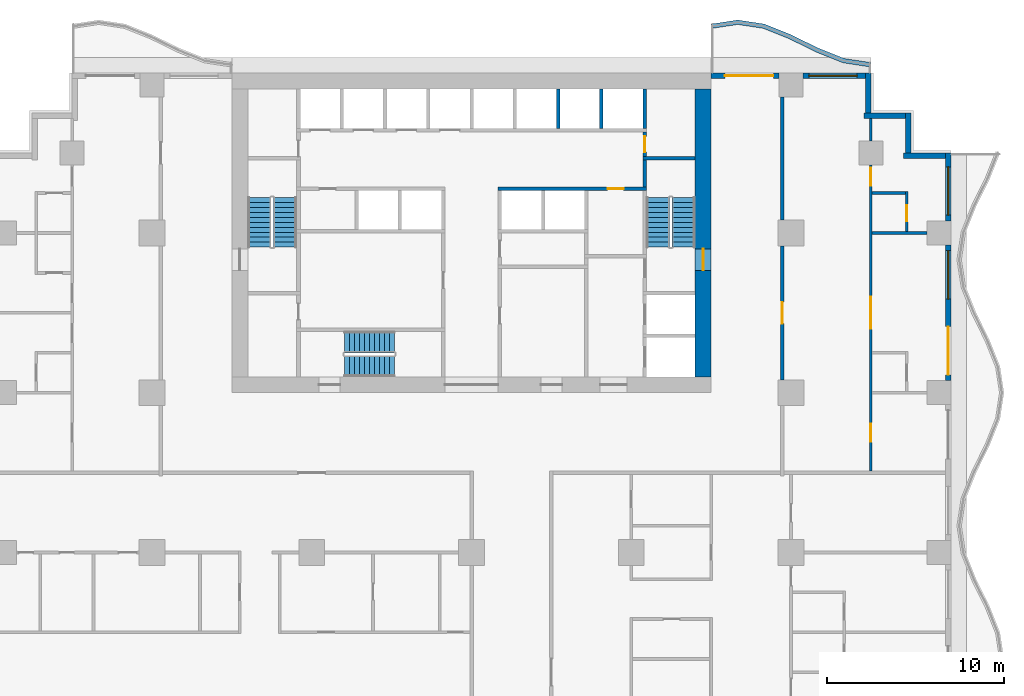
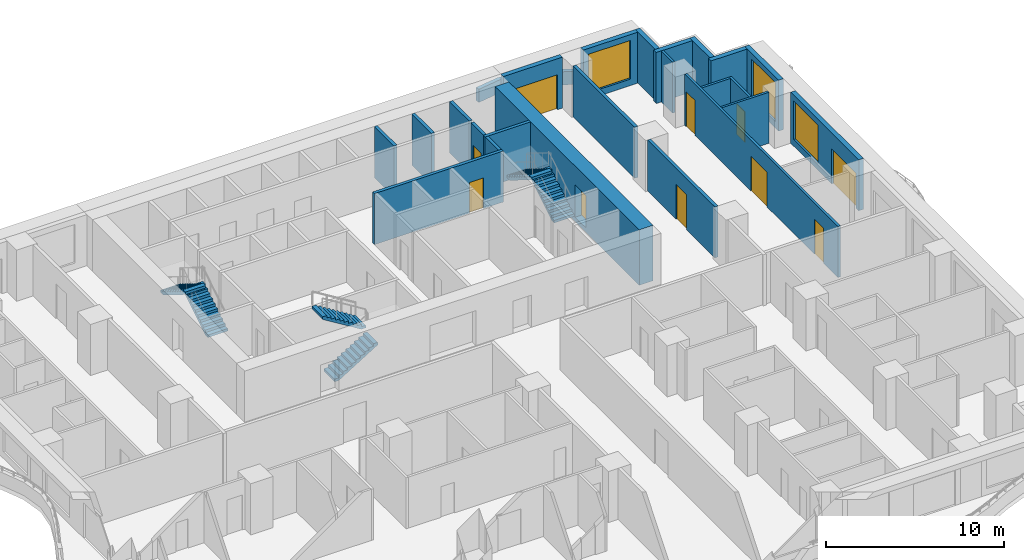
# One storey, part 6 of 13: 24 walls, 10 doors, 6 stair flights, 3 windows, 13 openings, 3 elements without a shape of their own.
"""IFC4 building model written with IfcOpenShell, lengths in metres."""

from ifc_helpers import new_model, si_unit, direction, frame, frame_2d, origin, place, context, subcontext, project, spatial, polyline, rectangle, outline, extrude, material, layer, layer_set, type_object, element, fill, aggregate, save


model = new_model("IFC4")

# Units and contexts
model_context = context("Model", 3, precision=1e-05, world=origin(), true_north=direction((0.0, 1.0)))
body_context = subcontext(model_context, "Body", "Model", "MODEL_VIEW")
ifc_project = project(units=[si_unit("LENGTHUNIT", "METRE"), si_unit("AREAUNIT", "SQUARE_METRE"), si_unit("VOLUMEUNIT", "CUBIC_METRE"), si_unit("PLANEANGLEUNIT", "RADIAN"), si_unit("MASSUNIT", "GRAM", prefix="KILO")], contexts=[model_context])

# Site, building, storey
site_placement = place(None, origin())
site = spatial("IfcSite", under=ifc_project, at=site_placement, CompositionType="ELEMENT")
building_placement = place(site_placement, origin())
building = spatial("IfcBuilding", under=site, at=building_placement, Name="Orbiselva Terraces", CompositionType="ELEMENT")
storey_placement = place(building_placement, frame((0.0, 0.0, 69.4)))
storey = spatial("IfcBuildingStorey", under=building, at=storey_placement, Name="L17", CompositionType="ELEMENT", Elevation=69.4)

# Wall, opening, door
ifc_material_1 = material(Name="Concrete C80/95", Category="concrete")
ifc_layer_1 = layer(ifc_material_1, 0.9)
ifc_layer_set_1 = layer_set([ifc_layer_1], Name="Concrete C80/95")
wall_type_1 = type_object("IfcWallType", Name="CORE WALL 900", PredefinedType="SHEAR", material=ifc_layer_set_1)
wall_1_placement = place(storey_placement, frame((13.05, 5.4, -0.3), z_axis=(0.0, 0.0, 1.0), x_axis=(0.0, 1.0, 0.0)))
wall_1 = element("IfcWall", 1, at=wall_1_placement, inside=storey, type_object=wall_type_1, Name="Core wall L17 east", PredefinedType="SHEAR", context=body_context, shape_type="SweptSolid", body=[
    extrude(rectangle(XDim=16.2, YDim=0.9, at=frame_2d((8.1, 0.0))), origin(), (0.0, 0.0, 1.0), 3.8),
])
opening_1_placement = place(wall_1_placement, frame((6.0, 0.0, 0.3)))
opening_1 = element("IfcOpeningElement", 2, at=opening_1_placement, cuts=wall_1, Name="Opening DS1200", PredefinedType="OPENING", context=body_context, shape_type="SweptSolid", body=[
    extrude(rectangle(XDim=1.2, YDim=2.2, at=frame_2d((0.6, 1.1))), frame((0.0, 0.46, 0.0), z_axis=(0.0, -1.0, 0.0), x_axis=(1.0, 0.0, 0.0)), (0.0, 0.0, 1.0), 0.92),
])
ifc_material_2 = material(Name="Steel fire door", Category="steel")
door_type_1 = type_object("IfcDoorType", Name="STAIR DOOR 1200", OperationType="NOTDEFINED", PredefinedType="DOOR", material=ifc_material_2)
door_1_placement = place(opening_1_placement, frame((1.2, 0.0, 0.0), z_axis=(0.0, 0.0, 1.0), x_axis=(-1.0, 0.0, 0.0)))
door_1 = element("IfcDoor", 3, at=door_1_placement, inside=storey, type_object=door_type_1, Name="L17 EXIT STAIR S2 door", OperationType="SINGLE_SWING_LEFT", OverallHeight=2.2, OverallWidth=1.2, PredefinedType="DOOR", context=body_context, shape_type="SweptSolid", body=[
    extrude(rectangle(XDim=1.2, YDim=2.2, at=frame_2d((0.6, 1.1))), frame((0.0, 0.025, 0.0), z_axis=(0.0, -1.0, 0.0), x_axis=(1.0, 0.0, 0.0)), (0.0, 0.0, 1.0), 0.05),
])
fill(opening_1, door_1)

ifc_material_3 = material(Name="Masonry blockwork", Category="masonry")
ifc_layer_2 = layer(ifc_material_3, 0.2)
ifc_layer_set_2 = layer_set([ifc_layer_2], Name="Masonry blockwork")
wall_type_2 = type_object("IfcWallType", Name="CORE-WALL-PARTITION-200", PredefinedType="PARTITIONING", material=ifc_layer_set_2)
wall_2_placement = place(storey_placement, frame((9.75, 19.2, 0.0), z_axis=(0.0, 0.0, 1.0), x_axis=(0.0, -1.0, 0.0)))
wall_2 = element("IfcWall", 4, at=wall_2_placement, inside=storey, type_object=wall_type_2, Name="L17 core wall 46", PredefinedType="PARTITIONING", context=body_context, shape_type="SweptSolid", body=[
    extrude(rectangle(XDim=1.4, YDim=0.2, at=frame_2d((0.7, 0.0))), origin(), (0.0, 0.0, 1.0), 3.5),
])
opening_2_placement = place(wall_2_placement, frame((0.25, 0.0, 0.0)))
opening_2 = element("IfcOpeningElement", 5, at=opening_2_placement, cuts=wall_2, Name="Opening DR900", PredefinedType="OPENING", context=body_context, shape_type="SweptSolid", body=[
    extrude(rectangle(XDim=0.9, YDim=2.1, at=frame_2d((0.45, 1.05))), frame((0.0, 0.11, 0.0), z_axis=(0.0, -1.0, 0.0), x_axis=(1.0, 0.0, 0.0)), (0.0, 0.0, 1.0), 0.22),
])
door_type_2 = type_object("IfcDoorType", Name="ROOM DOOR 900", OperationType="NOTDEFINED", PredefinedType="DOOR", material=ifc_material_2)
door_2_placement = place(opening_2_placement, origin())
door_2 = element("IfcDoor", 6, at=door_2_placement, inside=storey, type_object=door_type_2, Name="L17 ELECTRICAL RISER ROOM door", OperationType="SINGLE_SWING_RIGHT", OverallHeight=2.1, OverallWidth=0.9, PredefinedType="DOOR", context=body_context, shape_type="SweptSolid", body=[
    extrude(rectangle(XDim=0.9, YDim=2.1, at=frame_2d((0.45, 1.05))), frame((0.0, 0.025, 0.0), z_axis=(0.0, -1.0, 0.0), x_axis=(1.0, 0.0, 0.0)), (0.0, 0.0, 1.0), 0.05),
])
fill(opening_2, door_2)

# Walls
ifc_material_4 = material(Name="Concrete C40/50", Category="concrete")
ifc_layer_3 = layer(ifc_material_4, 0.2)
ifc_layer_set_3 = layer_set([ifc_layer_3], Name="Concrete C40/50")
wall_type_3 = type_object("IfcWallType", Name="CORE-WALL-SHAFT-200", PredefinedType="PARTITIONING", material=ifc_layer_set_3)
for number, where, z_axis, x_axis, name in (
    (7, (4.875, 19.4, 0.0), (0.0, 0.0, 1.0), (0.0, 1.0, 0.0), "L17 core wall 31"),
    (8, (7.3125, 19.4, 0.0), (0.0, 0.0, 1.0), (0.0, 1.0, 0.0), "L17 core wall 37"),
    (9, (9.75, 19.4, 0.0), (0.0, 0.0, 1.0), (0.0, 1.0, 0.0), "L17 core wall 47"),
):
    element("IfcWall", number, at=place(storey_placement, frame(where, z_axis=z_axis, x_axis=x_axis)), inside=storey, type_object=wall_type_3, Name=name, PredefinedType="PARTITIONING", context=body_context, shape_type="SweptSolid", body=[
        extrude(rectangle(XDim=2.2, YDim=0.2, at=frame_2d((1.1, 0.0))), origin(), (0.0, 0.0, 1.0), 3.5),
    ])

# Wall, opening, door
ifc_material_5 = material(Name="Concrete C60/75", Category="concrete")
ifc_layer_4 = layer(ifc_material_5, 0.2)
ifc_layer_set_4 = layer_set([ifc_layer_4], Name="Concrete C60/75")
wall_type_4 = type_object("IfcWallType", Name="CORE-WALL-SHEAR-200", PredefinedType="SHEAR", material=ifc_layer_set_4)
wall_3_placement = place(storey_placement, frame((9.85, 16.0, 0.0), z_axis=(0.0, 0.0, 1.0), x_axis=(-1.0, 0.0, 0.0)))
wall_3 = element("IfcWall", 10, at=wall_3_placement, inside=storey, type_object=wall_type_4, Name="L17 core wall 28", PredefinedType="SHEAR", context=body_context, shape_type="SweptSolid", body=[
    extrude(rectangle(XDim=8.35, YDim=0.2, at=frame_2d((4.175, 0.0))), origin(), (0.0, 0.0, 1.0), 3.5),
])
opening_3_placement = place(wall_3_placement, frame((1.2875, 0.0, 0.0)))
opening_3 = element("IfcOpeningElement", 11, at=opening_3_placement, cuts=wall_3, Name="Opening DR900", PredefinedType="OPENING", context=body_context, shape_type="SweptSolid", body=[
    extrude(rectangle(XDim=0.9, YDim=2.1, at=frame_2d((0.45, 1.05))), frame((0.0, 0.11, 0.0), z_axis=(0.0, -1.0, 0.0), x_axis=(1.0, 0.0, 0.0)), (0.0, 0.0, 1.0), 0.22),
])
door_3_placement = place(opening_3_placement, origin())
door_3 = element("IfcDoor", 12, at=door_3_placement, inside=storey, type_object=door_type_2, Name="L17 PIPE RISER ROOM door", OperationType="SINGLE_SWING_LEFT", OverallHeight=2.1, OverallWidth=0.9, PredefinedType="DOOR", context=body_context, shape_type="SweptSolid", body=[
    extrude(rectangle(XDim=0.9, YDim=2.1, at=frame_2d((0.45, 1.05))), frame((0.0, 0.025, 0.0), z_axis=(0.0, -1.0, 0.0), x_axis=(1.0, 0.0, 0.0)), (0.0, 0.0, 1.0), 0.05),
])
fill(opening_3, door_3)

# Walls
wall_4_placement = place(storey_placement, frame((9.75, 16.1, 0.0), z_axis=(0.0, 0.0, 1.0), x_axis=(0.0, 1.0, 0.0)))
element("IfcWall", 13, at=wall_4_placement, inside=storey, type_object=wall_type_4, Name="L17 core wall 44", PredefinedType="SHEAR", context=body_context, shape_type="SweptSolid", body=[
    extrude(rectangle(XDim=1.5, YDim=0.2, at=frame_2d((0.75, 0.0))), origin(), (0.0, 0.0, 1.0), 3.5),
])
wall_5_placement = place(storey_placement, frame((9.65, 17.7, 0.0), z_axis=(0.0, 0.0, 1.0), x_axis=(1.0, 0.0, 0.0)))
element("IfcWall", 14, at=wall_5_placement, inside=storey, type_object=wall_type_4, Name="L17 core wall 45", PredefinedType="SHEAR", context=body_context, shape_type="SweptSolid", body=[
    extrude(rectangle(XDim=2.95, YDim=0.2, at=frame_2d((1.475, 0.0))), origin(), (0.0, 0.0, 1.0), 3.5),
])
ifc_layer_5 = layer(ifc_material_4, 0.25)
ifc_layer_set_5 = layer_set([ifc_layer_5], Name="Concrete C40/50")
wall_type_5 = type_object("IfcWallType", Name="ENV-PLANTER-250x900", PredefinedType="USERDEFINED", material=ifc_layer_set_5)
wall_6_placement = place(storey_placement, origin())
element("IfcWall", 15, at=wall_6_placement, inside=storey, type_object=wall_type_5, Name="Balcony planter L17 NE", ObjectType="PLANTER", PredefinedType="USERDEFINED", context=body_context, shape_type="SweptSolid", body=[
    extrude(outline(polyline([(22.5, 23.1), (21.0, 23.32918), (19.5, 23.92918), (18.0, 24.67082), (16.5, 25.27082), (15.0, 25.5), (13.5, 25.27082), (13.537758, 25.023688), (15.0, 25.247099), (16.433834, 25.028028), (17.898017, 24.442355), (19.398017, 23.700715), (20.933834, 23.086388), (22.462242, 22.852868), (22.5, 23.1)])), origin(), (0.0, 0.0, 1.0), 0.9),
])

# Wall, openings, door, window
ifc_material_6 = material(Name="Terracotta cladding on masonry backing", Category="masonry")
ifc_layer_6 = layer(ifc_material_6, 0.3)
ifc_layer_set_6 = layer_set([ifc_layer_6], Name="Terracotta cladding on masonry backing")
wall_type_6 = type_object("IfcWallType", Name="ENV-WALL-TERRACOTTA-300", PredefinedType="SOLIDWALL", material=ifc_layer_set_6)
wall_7_placement = place(storey_placement, frame((26.85, 12.825, 0.0), z_axis=(0.0, 0.0, 1.0), x_axis=(0.0, -1.0, 0.0)))
wall_7 = element("IfcWall", 16, at=wall_7_placement, inside=storey, type_object=wall_type_6, Name="Facade wall L17 E", PredefinedType="SOLIDWALL", context=body_context, shape_type="SweptSolid", body=[
    extrude(rectangle(XDim=7.65, YDim=0.3, at=frame_2d((3.825, 0.0))), origin(), (0.0, 0.0, 1.0), 3.5),
])
opening_4_placement = place(wall_7_placement, frame((4.6, 0.0, 0.0)))
opening_4 = element("IfcOpeningElement", 17, at=opening_4_placement, cuts=wall_7, Name="Opening Z2-A-E07", PredefinedType="OPENING", context=body_context, shape_type="SweptSolid", body=[
    extrude(rectangle(XDim=2.725, YDim=2.4, at=frame_2d((1.3625, 1.2))), frame((0.0, 0.16, 0.0), z_axis=(0.0, -1.0, 0.0), x_axis=(1.0, 0.0, 0.0)), (0.0, 0.0, 1.0), 0.32),
])
opening_5_placement = place(wall_7_placement, frame((0.325, 0.0, 0.45)))
opening_5 = element("IfcOpeningElement", 18, at=opening_5_placement, cuts=wall_7, Name="Opening WN5", PredefinedType="OPENING", context=body_context, shape_type="SweptSolid", body=[
    extrude(rectangle(XDim=2.725, YDim=2.65, at=frame_2d((1.3625, 1.325))), frame((0.0, 0.16, 0.0), z_axis=(0.0, -1.0, 0.0), x_axis=(1.0, 0.0, 0.0)), (0.0, 0.0, 1.0), 0.32),
])
ifc_material_7 = material(Name="Clear low-e glazing in aluminium frame", Category="aluminium")
door_type_3 = type_object("IfcDoorType", Name="BALCONY DOOR 2725 X 2400", OperationType="DOUBLE_DOOR_SLIDING", PredefinedType="DOOR", material=ifc_material_7)
door_4_placement = place(opening_4_placement, origin())
door_4 = element("IfcDoor", 19, at=door_4_placement, inside=storey, type_object=door_type_3, Name="Z2-A-E07", OperationType="SINGLE_SWING_LEFT", OverallHeight=2.4, OverallWidth=2.725, PredefinedType="DOOR", context=body_context, shape_type="SweptSolid", body=[
    extrude(rectangle(XDim=2.725, YDim=2.4, at=frame_2d((1.3625, 1.2))), frame((0.0, 0.025, 0.0), z_axis=(0.0, -1.0, 0.0), x_axis=(1.0, 0.0, 0.0)), (0.0, 0.0, 1.0), 0.05),
])
fill(opening_4, door_4)
window_type = type_object("IfcWindowType", Name="WINDOW 2725 X 2650 S450", PartitioningType="TRIPLE_PANEL_VERTICAL", PredefinedType="WINDOW", material=ifc_material_7)
window_1_placement = place(opening_5_placement, origin())
window_1 = element("IfcWindow", 20, at=window_1_placement, inside=storey, type_object=window_type, Name="Window L17 E", OverallHeight=2.65, OverallWidth=2.725, PartitioningType="SINGLE_PANEL", PredefinedType="WINDOW", context=body_context, shape_type="SweptSolid", body=[
    extrude(rectangle(XDim=2.725, YDim=2.65, at=frame_2d((1.3625, 1.325))), frame((0.0, 0.03, 0.0), z_axis=(0.0, -1.0, 0.0), x_axis=(1.0, 0.0, 0.0)), (0.0, 0.0, 1.0), 0.06),
])
fill(opening_5, window_1)

# Wall, opening, window
wall_8_placement = place(storey_placement, frame((26.85, 18.0, 0.0), z_axis=(0.0, 0.0, 1.0), x_axis=(0.0, -1.0, 0.0)))
wall_8 = element("IfcWall", 21, at=wall_8_placement, inside=storey, type_object=wall_type_6, Name="Facade wall L17 E", PredefinedType="SOLIDWALL", context=body_context, shape_type="SweptSolid", body=[
    extrude(rectangle(XDim=3.825, YDim=0.3, at=frame_2d((1.9125, 0.0))), origin(), (0.0, 0.0, 1.0), 3.5),
])
opening_6_placement = place(wall_8_placement, frame((0.775, 0.0, 0.45)))
opening_6 = element("IfcOpeningElement", 22, at=opening_6_placement, cuts=wall_8, Name="Opening WN5", PredefinedType="OPENING", context=body_context, shape_type="SweptSolid", body=[
    extrude(rectangle(XDim=2.725, YDim=2.65, at=frame_2d((1.3625, 1.325))), frame((0.0, 0.16, 0.0), z_axis=(0.0, -1.0, 0.0), x_axis=(1.0, 0.0, 0.0)), (0.0, 0.0, 1.0), 0.32),
])
window_2_placement = place(opening_6_placement, origin())
window_2 = element("IfcWindow", 23, at=window_2_placement, inside=storey, type_object=window_type, Name="Window L17 E", OverallHeight=2.65, OverallWidth=2.725, PartitioningType="SINGLE_PANEL", PredefinedType="WINDOW", context=body_context, shape_type="SweptSolid", body=[
    extrude(rectangle(XDim=2.725, YDim=2.65, at=frame_2d((1.3625, 1.325))), frame((0.0, 0.03, 0.0), z_axis=(0.0, -1.0, 0.0), x_axis=(1.0, 0.0, 0.0)), (0.0, 0.0, 1.0), 0.06),
])
fill(opening_6, window_2)

# Walls
wall_9_placement = place(storey_placement, frame((24.35, 17.85, 0.0), z_axis=(0.0, 0.0, 1.0), x_axis=(1.0, 0.0, 0.0)))
element("IfcWall", 24, at=wall_9_placement, inside=storey, type_object=wall_type_6, Name="Facade wall L17 STEP", PredefinedType="SOLIDWALL", context=body_context, shape_type="SweptSolid", body=[
    extrude(rectangle(XDim=2.35, YDim=0.3, at=frame_2d((1.175, 0.0))), origin(), (0.0, 0.0, 1.0), 3.5),
])
wall_10_placement = place(storey_placement, frame((24.6, 20.25, 0.0), z_axis=(0.0, 0.0, 1.0), x_axis=(0.0, -1.0, 0.0)))
element("IfcWall", 25, at=wall_10_placement, inside=storey, type_object=wall_type_6, Name="Facade wall L17 STEP", PredefinedType="SOLIDWALL", context=body_context, shape_type="SweptSolid", body=[
    extrude(rectangle(XDim=2.25, YDim=0.3, at=frame_2d((1.125, 0.0))), origin(), (0.0, 0.0, 1.0), 3.5),
])
wall_11_placement = place(storey_placement, frame((22.1, 20.1, 0.0), z_axis=(0.0, 0.0, 1.0), x_axis=(1.0, 0.0, 0.0)))
element("IfcWall", 26, at=wall_11_placement, inside=storey, type_object=wall_type_6, Name="Facade wall L17 STEP", PredefinedType="SOLIDWALL", context=body_context, shape_type="SweptSolid", body=[
    extrude(rectangle(XDim=2.35, YDim=0.3, at=frame_2d((1.175, 0.0))), origin(), (0.0, 0.0, 1.0), 3.5),
])
wall_12_placement = place(storey_placement, frame((22.35, 22.5, 0.0), z_axis=(0.0, 0.0, 1.0), x_axis=(0.0, -1.0, 0.0)))
element("IfcWall", 27, at=wall_12_placement, inside=storey, type_object=wall_type_6, Name="Facade wall L17 STEP", PredefinedType="SOLIDWALL", context=body_context, shape_type="SweptSolid", body=[
    extrude(rectangle(XDim=2.25, YDim=0.3, at=frame_2d((1.125, 0.0))), origin(), (0.0, 0.0, 1.0), 3.5),
])

# Wall, opening, window
wall_13_placement = place(storey_placement, frame((18.675, 22.35, 0.0), z_axis=(0.0, 0.0, 1.0), x_axis=(1.0, 0.0, 0.0)))
wall_13 = element("IfcWall", 28, at=wall_13_placement, inside=storey, type_object=wall_type_6, Name="Facade wall L17 NE", PredefinedType="SOLIDWALL", context=body_context, shape_type="SweptSolid", body=[
    extrude(rectangle(XDim=3.525, YDim=0.3, at=frame_2d((1.7625, 0.0))), origin(), (0.0, 0.0, 1.0), 3.5),
])
opening_7_placement = place(wall_13_placement, frame((0.325, 0.0, 0.45)))
opening_7 = element("IfcOpeningElement", 29, at=opening_7_placement, cuts=wall_13, Name="Opening WN5", PredefinedType="OPENING", context=body_context, shape_type="SweptSolid", body=[
    extrude(rectangle(XDim=2.725, YDim=2.65, at=frame_2d((1.3625, 1.325))), frame((0.0, 0.16, 0.0), z_axis=(0.0, -1.0, 0.0), x_axis=(1.0, 0.0, 0.0)), (0.0, 0.0, 1.0), 0.32),
])
window_3_placement = place(opening_7_placement, origin())
window_3 = element("IfcWindow", 30, at=window_3_placement, inside=storey, type_object=window_type, Name="Window L17 NE", OverallHeight=2.65, OverallWidth=2.725, PartitioningType="SINGLE_PANEL", PredefinedType="WINDOW", context=body_context, shape_type="SweptSolid", body=[
    extrude(rectangle(XDim=2.725, YDim=2.65, at=frame_2d((1.3625, 1.325))), frame((0.0, 0.03, 0.0), z_axis=(0.0, -1.0, 0.0), x_axis=(1.0, 0.0, 0.0)), (0.0, 0.0, 1.0), 0.06),
])
fill(opening_7, window_3)

# Wall, opening, door
wall_14_placement = place(storey_placement, frame((13.5, 22.35, 0.0), z_axis=(0.0, 0.0, 1.0), x_axis=(1.0, 0.0, 0.0)))
wall_14 = element("IfcWall", 31, at=wall_14_placement, inside=storey, type_object=wall_type_6, Name="Facade wall L17 NE", PredefinedType="SOLIDWALL", context=body_context, shape_type="SweptSolid", body=[
    extrude(rectangle(XDim=3.825, YDim=0.3, at=frame_2d((1.9125, 0.0))), origin(), (0.0, 0.0, 1.0), 3.5),
])
opening_8_placement = place(wall_14_placement, frame((0.775, 0.0, 0.0)))
opening_8 = element("IfcOpeningElement", 32, at=opening_8_placement, cuts=wall_14, Name="Opening Z2-A-E08", PredefinedType="OPENING", context=body_context, shape_type="SweptSolid", body=[
    extrude(rectangle(XDim=2.725, YDim=2.4, at=frame_2d((1.3625, 1.2))), frame((0.0, 0.16, 0.0), z_axis=(0.0, -1.0, 0.0), x_axis=(1.0, 0.0, 0.0)), (0.0, 0.0, 1.0), 0.32),
])
door_5_placement = place(opening_8_placement, origin())
door_5 = element("IfcDoor", 33, at=door_5_placement, inside=storey, type_object=door_type_3, Name="Z2-A-E08", OperationType="SINGLE_SWING_LEFT", OverallHeight=2.4, OverallWidth=2.725, PredefinedType="DOOR", context=body_context, shape_type="SweptSolid", body=[
    extrude(rectangle(XDim=2.725, YDim=2.4, at=frame_2d((1.3625, 1.2))), frame((0.0, 0.025, 0.0), z_axis=(0.0, -1.0, 0.0), x_axis=(1.0, 0.0, 0.0)), (0.0, 0.0, 1.0), 0.05),
])
fill(opening_8, door_5)

ifc_material_8 = material(Name="Plasterboard on steel stud partition", Category="steel")
ifc_layer_7 = layer(ifc_material_8, 0.2)
ifc_layer_set_7 = layer_set([ifc_layer_7], Name="Plasterboard on steel stud partition")
wall_type_7 = type_object("IfcWallType", Name="UNIT-ENTRANCE-WALL-200", PredefinedType="PARTITIONING", material=ifc_layer_set_7)
wall_15_placement = place(storey_placement, frame((17.5, 12.775, 0.0), z_axis=(0.0, 0.0, 1.0), x_axis=(0.0, -1.0, 0.0)))
wall_15 = element("IfcWall", 34, at=wall_15_placement, inside=storey, type_object=wall_type_7, Name="PARTITION L17-076", PredefinedType="PARTITIONING", context=body_context, shape_type="SweptSolid", body=[
    extrude(rectangle(XDim=7.55, YDim=0.2, at=frame_2d((3.775, 0.0))), origin(), (0.0, 0.0, 1.0), 3.5),
])
opening_9_placement = place(wall_15_placement, frame((3.175, 0.0, 0.0)))
opening_9 = element("IfcOpeningElement", 35, at=opening_9_placement, cuts=wall_15, Name="Opening Z2-A-09", PredefinedType="OPENING", context=body_context, shape_type="SweptSolid", body=[
    extrude(rectangle(XDim=1.2, YDim=2.4, at=frame_2d((0.6, 1.2))), frame((0.0, 0.11, 0.0), z_axis=(0.0, -1.0, 0.0), x_axis=(1.0, 0.0, 0.0)), (0.0, 0.0, 1.0), 0.22),
])
ifc_material_9 = material(Name="Painted timber door leaf", Category="wood")
door_type_4 = type_object("IfcDoorType", Name="ENTRANCE DOOR 1200", OperationType="NOTDEFINED", PredefinedType="DOOR", material=ifc_material_9)
door_6_placement = place(opening_9_placement, origin())
door_6 = element("IfcDoor", 36, at=door_6_placement, inside=storey, type_object=door_type_4, Name="Z2-A-09", OperationType="SINGLE_SWING_RIGHT", OverallHeight=2.4, OverallWidth=1.2, PredefinedType="DOOR", context=body_context, shape_type="SweptSolid", body=[
    extrude(rectangle(XDim=1.2, YDim=2.4, at=frame_2d((0.6, 1.2))), frame((0.0, 0.025, 0.0), z_axis=(0.0, -1.0, 0.0), x_axis=(1.0, 0.0, 0.0)), (0.0, 0.0, 1.0), 0.05),
])
fill(opening_9, door_6)

# Walls
wall_16_placement = place(storey_placement, frame((17.5, 14.225, 0.0), z_axis=(0.0, 0.0, 1.0), x_axis=(0.0, 1.0, 0.0)))
element("IfcWall", 37, at=wall_16_placement, inside=storey, type_object=wall_type_7, Name="PARTITION L17-077", PredefinedType="PARTITIONING", context=body_context, shape_type="SweptSolid", body=[
    extrude(rectangle(XDim=6.925, YDim=0.2, at=frame_2d((3.4625, 0.0))), origin(), (0.0, 0.0, 1.0), 3.5),
])
ifc_layer_8 = layer(ifc_material_8, 0.15)
ifc_layer_set_8 = layer_set([ifc_layer_8], Name="Plasterboard on steel stud partition")
wall_type_8 = type_object("IfcWallType", Name="UNIT-PARTITION-150", PredefinedType="PARTITIONING", material=ifc_layer_set_8)
wall_17_placement = place(storey_placement, frame((22.575, 13.5, 0.0), z_axis=(0.0, 0.0, 1.0), x_axis=(1.0, 0.0, 0.0)))
element("IfcWall", 38, at=wall_17_placement, inside=storey, type_object=wall_type_8, Name="PARTITION L17-040", PredefinedType="PARTITIONING", context=body_context, shape_type="SweptSolid", body=[
    extrude(rectangle(XDim=3.075, YDim=0.15, at=frame_2d((1.5375, 0.0))), origin(), (0.0, 0.0, 1.0), 3.5),
])
wall_18_placement = place(storey_placement, frame((22.575, 15.75, 0.0), z_axis=(0.0, 0.0, 1.0), x_axis=(1.0, 0.0, 0.0)))
element("IfcWall", 39, at=wall_18_placement, inside=storey, type_object=wall_type_8, Name="PARTITION L17-042", PredefinedType="PARTITIONING", context=body_context, shape_type="SweptSolid", body=[
    extrude(rectangle(XDim=1.875, YDim=0.15, at=frame_2d((0.9375, 0.0))), origin(), (0.0, 0.0, 1.0), 3.5),
])

# Wall, openings, doors
wall_19_placement = place(storey_placement, frame((22.5, 17.325, 0.0), z_axis=(0.0, 0.0, 1.0), x_axis=(0.0, -1.0, 0.0)))
wall_19 = element("IfcWall", 40, at=wall_19_placement, inside=storey, type_object=wall_type_8, Name="PARTITION L17-083", PredefinedType="PARTITIONING", context=body_context, shape_type="SweptSolid", body=[
    extrude(rectangle(XDim=17.225, YDim=0.15, at=frame_2d((8.6125, 0.0))), origin(), (0.0, 0.0, 1.0), 3.5),
])
opening_10_placement = place(wall_19_placement, frame((14.575, 0.0, 0.0)))
opening_10 = element("IfcOpeningElement", 41, at=opening_10_placement, cuts=wall_19, Name="Opening Z2-A-10", PredefinedType="OPENING", context=body_context, shape_type="SweptSolid", body=[
    extrude(rectangle(XDim=1.0, YDim=2.4, at=frame_2d((0.5, 1.2))), frame((0.0, 0.085, 0.0), z_axis=(0.0, -1.0, 0.0), x_axis=(1.0, 0.0, 0.0)), (0.0, 0.0, 1.0), 0.17),
])
opening_11_placement = place(wall_19_placement, frame((7.425, 0.0, 0.0)))
opening_11 = element("IfcOpeningElement", 42, at=opening_11_placement, cuts=wall_19, Name="Opening Z2-A-11", PredefinedType="OPENING", context=body_context, shape_type="SweptSolid", body=[
    extrude(rectangle(XDim=1.8, YDim=2.4, at=frame_2d((0.9, 1.2))), frame((0.0, 0.085, 0.0), z_axis=(0.0, -1.0, 0.0), x_axis=(1.0, 0.0, 0.0)), (0.0, 0.0, 1.0), 0.17),
])
opening_12_placement = place(wall_19_placement, frame((0.15, 0.0, 0.0)))
opening_12 = element("IfcOpeningElement", 43, at=opening_12_placement, cuts=wall_19, Name="Opening Z2-A-13", PredefinedType="OPENING", context=body_context, shape_type="SweptSolid", body=[
    extrude(rectangle(XDim=1.0, YDim=2.4, at=frame_2d((0.5, 1.2))), frame((0.0, 0.085, 0.0), z_axis=(0.0, -1.0, 0.0), x_axis=(1.0, 0.0, 0.0)), (0.0, 0.0, 1.0), 0.17),
])
door_type_5 = type_object("IfcDoorType", Name="DOUBLE DOOR 1800", OperationType="NOTDEFINED", PredefinedType="DOOR", material=ifc_material_9)
door_7_placement = place(opening_11_placement, origin())
door_7 = element("IfcDoor", 44, at=door_7_placement, inside=storey, type_object=door_type_5, Name="Z2-A-11", OperationType="DOUBLE_DOOR_SINGLE_SWING", OverallHeight=2.4, OverallWidth=1.8, PredefinedType="DOOR", context=body_context, shape_type="SweptSolid", body=[
    extrude(rectangle(XDim=1.8, YDim=2.4, at=frame_2d((0.9, 1.2))), frame((0.0, 0.025, 0.0), z_axis=(0.0, -1.0, 0.0), x_axis=(1.0, 0.0, 0.0)), (0.0, 0.0, 1.0), 0.05),
])
fill(opening_11, door_7)
door_type_6 = type_object("IfcDoorType", Name="ROOM DOOR 1000", OperationType="NOTDEFINED", PredefinedType="DOOR", material=ifc_material_9)
door_8_placement = place(opening_10_placement, origin())
door_8 = element("IfcDoor", 45, at=door_8_placement, inside=storey, type_object=door_type_6, Name="Z2-A-10", OperationType="SINGLE_SWING_RIGHT", OverallHeight=2.4, OverallWidth=1.0, PredefinedType="DOOR", context=body_context, shape_type="SweptSolid", body=[
    extrude(rectangle(XDim=1.0, YDim=2.4, at=frame_2d((0.5, 1.2))), frame((0.0, 0.025, 0.0), z_axis=(0.0, -1.0, 0.0), x_axis=(1.0, 0.0, 0.0)), (0.0, 0.0, 1.0), 0.05),
])
fill(opening_10, door_8)
door_9_placement = place(opening_12_placement, origin())
door_9 = element("IfcDoor", 46, at=door_9_placement, inside=storey, type_object=door_type_6, Name="Z2-A-13", OperationType="SINGLE_SWING_LEFT", OverallHeight=2.4, OverallWidth=1.0, PredefinedType="DOOR", context=body_context, shape_type="SweptSolid", body=[
    extrude(rectangle(XDim=1.0, YDim=2.4, at=frame_2d((0.5, 1.2))), frame((0.0, 0.025, 0.0), z_axis=(0.0, -1.0, 0.0), x_axis=(1.0, 0.0, 0.0)), (0.0, 0.0, 1.0), 0.05),
])
fill(opening_12, door_9)

# Wall
wall_20_placement = place(storey_placement, frame((22.5, 18.675, 0.0), z_axis=(0.0, 0.0, 1.0), x_axis=(0.0, 1.0, 0.0)))
element("IfcWall", 47, at=wall_20_placement, inside=storey, type_object=wall_type_8, Name="PARTITION L17-084", PredefinedType="PARTITIONING", context=body_context, shape_type="SweptSolid", body=[
    extrude(rectangle(XDim=1.275, YDim=0.15, at=frame_2d((0.6375, 0.0))), origin(), (0.0, 0.0, 1.0), 3.5),
])

# Wall, opening, door
wall_21_placement = place(storey_placement, frame((24.525, 13.575, 0.0), z_axis=(0.0, 0.0, 1.0), x_axis=(0.0, 1.0, 0.0)))
wall_21 = element("IfcWall", 48, at=wall_21_placement, inside=storey, type_object=wall_type_8, Name="PARTITION L17-086", PredefinedType="PARTITIONING", context=body_context, shape_type="SweptSolid", body=[
    extrude(rectangle(XDim=2.25, YDim=0.15, at=frame_2d((1.125, 0.0))), origin(), (0.0, 0.0, 1.0), 3.5),
])
opening_13_placement = place(wall_21_placement, frame((0.6, 0.0, 0.0)))
opening_13 = element("IfcOpeningElement", 49, at=opening_13_placement, cuts=wall_21, Name="Opening Z2-A-14", PredefinedType="OPENING", context=body_context, shape_type="SweptSolid", body=[
    extrude(rectangle(XDim=0.9, YDim=2.1, at=frame_2d((0.45, 1.05))), frame((0.0, 0.085, 0.0), z_axis=(0.0, -1.0, 0.0), x_axis=(1.0, 0.0, 0.0)), (0.0, 0.0, 1.0), 0.17),
])
door_type_7 = type_object("IfcDoorType", Name="BATH DOOR 900", OperationType="NOTDEFINED", PredefinedType="DOOR", material=ifc_material_9)
door_10_placement = place(opening_13_placement, origin())
door_10 = element("IfcDoor", 50, at=door_10_placement, inside=storey, type_object=door_type_7, Name="Z2-A-14", OperationType="SINGLE_SWING_LEFT", OverallHeight=2.1, OverallWidth=0.9, PredefinedType="DOOR", context=body_context, shape_type="SweptSolid", body=[
    extrude(rectangle(XDim=0.9, YDim=2.1, at=frame_2d((0.45, 1.05))), frame((0.0, 0.025, 0.0), z_axis=(0.0, -1.0, 0.0), x_axis=(1.0, 0.0, 0.0)), (0.0, 0.0, 1.0), 0.05),
])
fill(opening_13, door_10)

# Stair, stair flights
stair_type_1 = type_object("IfcStairType", Name="CORE-STAIR-1200", PredefinedType="HALF_TURN_STAIR", material=ifc_material_4)
stair_1_placement = place(storey_placement, origin())
stair_1 = element("IfcStair", 51, at=stair_1_placement, inside=storey, type_object=stair_type_1, Name="L17 Exit Stair S3", PredefinedType="HALF_TURN_STAIR")
stair_flight_type_1 = type_object("IfcStairFlightType", Name="CORE-STAIR-FLIGHT-1200", PredefinedType="STRAIGHT", material=ifc_material_4)
stair_flight_1_placement = place(storey_placement, frame((-7.15, 6.0, 0.0), z_axis=(0.0, 0.0, 1.0), x_axis=(1.0, 0.0, 0.0)))
stair_flight_1 = element("IfcStairFlight", 52, at=stair_flight_1_placement, type_object=stair_flight_type_1, Name="S3 flight 1", NumberOfRisers=11, NumberOfTreads=10, PredefinedType="STRAIGHT", RiserHeight=0.172727273, TreadLength=0.28, context=body_context, shape_type="SweptSolid", body=[
    extrude(outline(polyline([(0.0, 0.0), (0.0, 0.172727), (0.28, 0.172727), (0.28, 0.345455), (0.56, 0.345455), (0.56, 0.518182), (0.84, 0.518182), (0.84, 0.690909), (1.12, 0.690909), (1.12, 0.863636), (1.4, 0.863636), (1.4, 1.036364), (1.68, 1.036364), (1.68, 1.209091), (1.96, 1.209091), (1.96, 1.381818), (2.24, 1.381818), (2.24, 1.554545), (2.52, 1.554545), (2.52, 1.727273), (2.8, 1.727273), (2.8, 1.9), (2.8, 1.551028), (0.285702, 0.0), (0.0, 0.0)])), frame((0.0, 0.6, 0.0), z_axis=(0.0, -1.0, 0.0), x_axis=(1.0, 0.0, 0.0)), (0.0, 0.0, 1.0), 1.2),
])
stair_flight_2_placement = place(storey_placement, frame((-4.35, 7.35, 1.9), z_axis=(0.0, 0.0, 1.0), x_axis=(-1.0, 0.0, 0.0)))
stair_flight_2 = element("IfcStairFlight", 53, at=stair_flight_2_placement, type_object=stair_flight_type_1, Name="S3 flight 2", NumberOfRisers=11, NumberOfTreads=10, PredefinedType="STRAIGHT", RiserHeight=0.172727273, TreadLength=0.28, context=body_context, shape_type="SweptSolid", body=[
    extrude(outline(polyline([(0.0, 0.0), (0.0, 0.172727), (0.28, 0.172727), (0.28, 0.345455), (0.56, 0.345455), (0.56, 0.518182), (0.84, 0.518182), (0.84, 0.690909), (1.12, 0.690909), (1.12, 0.863636), (1.4, 0.863636), (1.4, 1.036364), (1.68, 1.036364), (1.68, 1.209091), (1.96, 1.209091), (1.96, 1.381818), (2.24, 1.381818), (2.24, 1.554545), (2.52, 1.554545), (2.52, 1.727273), (2.8, 1.727273), (2.8, 1.9), (2.8, 1.551028), (0.285702, 0.0), (0.0, 0.0)])), frame((0.0, 0.6, 0.0), z_axis=(0.0, -1.0, 0.0), x_axis=(1.0, 0.0, 0.0)), (0.0, 0.0, 1.0), 1.2),
])
aggregate(stair_1, [stair_flight_1, stair_flight_2])

stair_type_2 = type_object("IfcStairType", Name="CORE-STAIR-1300", PredefinedType="HALF_TURN_STAIR", material=ifc_material_4)
stair_2_placement = place(storey_placement, origin())
stair_2 = element("IfcStair", 54, at=stair_2_placement, inside=storey, type_object=stair_type_2, Name="L17 Exit Stair S1", PredefinedType="HALF_TURN_STAIR")
stair_flight_type_2 = type_object("IfcStairFlightType", Name="CORE-STAIR-FLIGHT-1300", PredefinedType="STRAIGHT", material=ifc_material_4)
stair_flight_3_placement = place(storey_placement, frame((-10.5, 12.7, 0.0), z_axis=(0.0, 0.0, 1.0), x_axis=(0.0, 1.0, 0.0)))
stair_flight_3 = element("IfcStairFlight", 55, at=stair_flight_3_placement, type_object=stair_flight_type_2, Name="S1 flight 1", NumberOfRisers=11, NumberOfTreads=10, PredefinedType="STRAIGHT", RiserHeight=0.172727273, TreadLength=0.28, context=body_context, shape_type="SweptSolid", body=[
    extrude(outline(polyline([(0.0, 0.0), (0.0, 0.172727), (0.28, 0.172727), (0.28, 0.345455), (0.56, 0.345455), (0.56, 0.518182), (0.84, 0.518182), (0.84, 0.690909), (1.12, 0.690909), (1.12, 0.863636), (1.4, 0.863636), (1.4, 1.036364), (1.68, 1.036364), (1.68, 1.209091), (1.96, 1.209091), (1.96, 1.381818), (2.24, 1.381818), (2.24, 1.554545), (2.52, 1.554545), (2.52, 1.727273), (2.8, 1.727273), (2.8, 1.9), (2.8, 1.551028), (0.285702, 0.0), (0.0, 0.0)])), frame((0.0, 0.65, 0.0), z_axis=(0.0, -1.0, 0.0), x_axis=(1.0, 0.0, 0.0)), (0.0, 0.0, 1.0), 1.3),
])
stair_flight_4_placement = place(storey_placement, frame((-11.95, 15.5, 1.9), z_axis=(0.0, 0.0, 1.0), x_axis=(0.0, -1.0, 0.0)))
stair_flight_4 = element("IfcStairFlight", 56, at=stair_flight_4_placement, type_object=stair_flight_type_2, Name="S1 flight 2", NumberOfRisers=11, NumberOfTreads=10, PredefinedType="STRAIGHT", RiserHeight=0.172727273, TreadLength=0.28, context=body_context, shape_type="SweptSolid", body=[
    extrude(outline(polyline([(0.0, 0.0), (0.0, 0.172727), (0.28, 0.172727), (0.28, 0.345455), (0.56, 0.345455), (0.56, 0.518182), (0.84, 0.518182), (0.84, 0.690909), (1.12, 0.690909), (1.12, 0.863636), (1.4, 0.863636), (1.4, 1.036364), (1.68, 1.036364), (1.68, 1.209091), (1.96, 1.209091), (1.96, 1.381818), (2.24, 1.381818), (2.24, 1.554545), (2.52, 1.554545), (2.52, 1.727273), (2.8, 1.727273), (2.8, 1.9), (2.8, 1.551028), (0.285702, 0.0), (0.0, 0.0)])), frame((0.0, 0.65, 0.0), z_axis=(0.0, -1.0, 0.0), x_axis=(1.0, 0.0, 0.0)), (0.0, 0.0, 1.0), 1.3),
])
aggregate(stair_2, [stair_flight_3, stair_flight_4])

stair_3_placement = place(storey_placement, origin())
stair_3 = element("IfcStair", 57, at=stair_3_placement, inside=storey, type_object=stair_type_2, Name="L17 Exit Stair S2", PredefinedType="HALF_TURN_STAIR")
stair_flight_5_placement = place(storey_placement, frame((11.95, 12.7, 0.0), z_axis=(0.0, 0.0, 1.0), x_axis=(0.0, 1.0, 0.0)))
stair_flight_5 = element("IfcStairFlight", 58, at=stair_flight_5_placement, type_object=stair_flight_type_2, Name="S2 flight 1", NumberOfRisers=11, NumberOfTreads=10, PredefinedType="STRAIGHT", RiserHeight=0.172727273, TreadLength=0.28, context=body_context, shape_type="SweptSolid", body=[
    extrude(outline(polyline([(0.0, 0.0), (0.0, 0.172727), (0.28, 0.172727), (0.28, 0.345455), (0.56, 0.345455), (0.56, 0.518182), (0.84, 0.518182), (0.84, 0.690909), (1.12, 0.690909), (1.12, 0.863636), (1.4, 0.863636), (1.4, 1.036364), (1.68, 1.036364), (1.68, 1.209091), (1.96, 1.209091), (1.96, 1.381818), (2.24, 1.381818), (2.24, 1.554545), (2.52, 1.554545), (2.52, 1.727273), (2.8, 1.727273), (2.8, 1.9), (2.8, 1.551028), (0.285702, 0.0), (0.0, 0.0)])), frame((0.0, 0.65, 0.0), z_axis=(0.0, -1.0, 0.0), x_axis=(1.0, 0.0, 0.0)), (0.0, 0.0, 1.0), 1.3),
])
stair_flight_6_placement = place(storey_placement, frame((10.5, 15.5, 1.9), z_axis=(0.0, 0.0, 1.0), x_axis=(0.0, -1.0, 0.0)))
stair_flight_6 = element("IfcStairFlight", 59, at=stair_flight_6_placement, type_object=stair_flight_type_2, Name="S2 flight 2", NumberOfRisers=11, NumberOfTreads=10, PredefinedType="STRAIGHT", RiserHeight=0.172727273, TreadLength=0.28, context=body_context, shape_type="SweptSolid", body=[
    extrude(outline(polyline([(0.0, 0.0), (0.0, 0.172727), (0.28, 0.172727), (0.28, 0.345455), (0.56, 0.345455), (0.56, 0.518182), (0.84, 0.518182), (0.84, 0.690909), (1.12, 0.690909), (1.12, 0.863636), (1.4, 0.863636), (1.4, 1.036364), (1.68, 1.036364), (1.68, 1.209091), (1.96, 1.209091), (1.96, 1.381818), (2.24, 1.381818), (2.24, 1.554545), (2.52, 1.554545), (2.52, 1.727273), (2.8, 1.727273), (2.8, 1.9), (2.8, 1.551028), (0.285702, 0.0), (0.0, 0.0)])), frame((0.0, 0.65, 0.0), z_axis=(0.0, -1.0, 0.0), x_axis=(1.0, 0.0, 0.0)), (0.0, 0.0, 1.0), 1.3),
])
aggregate(stair_3, [stair_flight_5, stair_flight_6])

save(model, "model.ifc")
